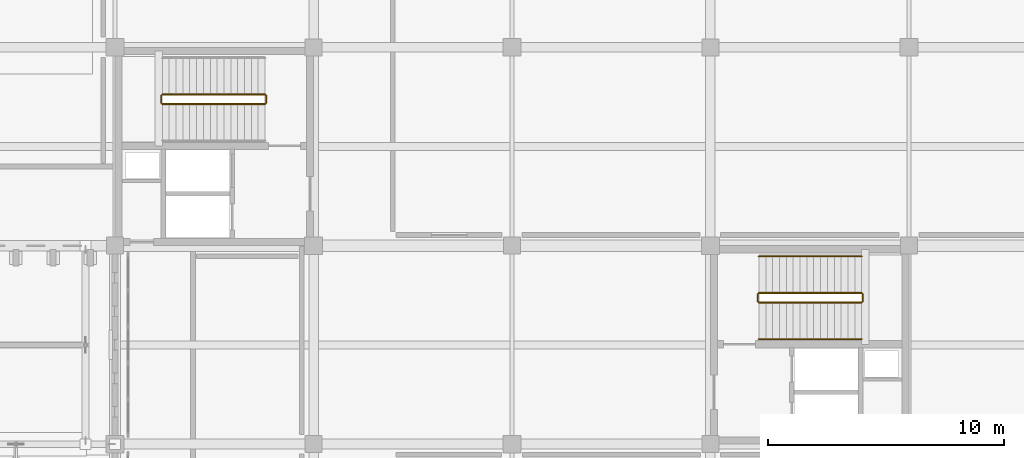
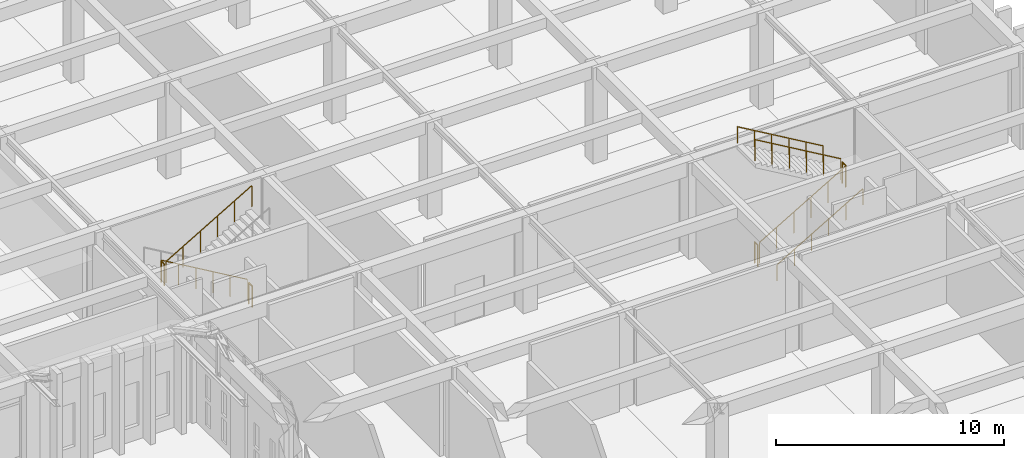
# One storey, part 142 of 143: 10 railings.
"""IFC4 building model written with IfcOpenShell, lengths in metres."""

from ifc_helpers import new_model, si_unit, direction, frame, origin, origin_2d, place, context, subcontext, project, spatial, circle, extrude, material, type_object, element, save


model = new_model("IFC4")

# Units and contexts
model_context = context("Model", 3, precision=1e-05, world=origin(), true_north=direction((0.0, 1.0)))
body_context = subcontext(model_context, "Body", "Model", "MODEL_VIEW")
ifc_project = project(units=[si_unit("LENGTHUNIT", "METRE"), si_unit("AREAUNIT", "SQUARE_METRE"), si_unit("VOLUMEUNIT", "CUBIC_METRE"), si_unit("PLANEANGLEUNIT", "RADIAN"), si_unit("MASSUNIT", "GRAM", prefix="KILO")], contexts=[model_context])

# Site, building, storey
site_placement = place(None, origin())
site = spatial("IfcSite", under=ifc_project, at=site_placement, CompositionType="ELEMENT")
building_placement = place(site_placement, origin())
building = spatial("IfcBuilding", under=site, at=building_placement, Name="Kveldsbrygga Polytechnic", CompositionType="ELEMENT")
storey_placement = place(building_placement, origin())
storey = spatial("IfcBuildingStorey", under=building, at=storey_placement, Name="L00", CompositionType="ELEMENT", Elevation=0.0)

# Railings
ifc_material = material(Name="Steel S355", Category="steel")
railing_type_1 = type_object("IfcRailingType", Name="RL-STAIR-GRD", PredefinedType="GUARDRAIL", material=ifc_material)
railing_1_placement = place(storey_placement, frame((132.35009765625, 90.39990234375, 0.169921875)))
element("IfcRailing", 1, at=railing_1_placement, inside=storey, type_object=railing_type_1, Name="L00 ST-2 stair guard 1", PredefinedType="GUARDRAIL", context=body_context, shape_type="SweptSolid", body=[
    extrude(circle(Radius=0.02392578125, at=origin_2d()), frame((0.0, 0.0, 1.1259765625), z_axis=(-0.862698698498, 0.0, 0.505718257145), x_axis=(0.0, -1.0, 0.0)), (0.0, 0.0, 1.0), 5.04248046875),
    extrude(circle(Radius=0.02099609375, at=origin_2d()), origin(), (0.0, 0.0, 1.0), 1.097900390625),
    extrude(circle(Radius=0.02099609375, at=origin_2d()), frame((-0.8701171875, 0.0, 0.510009765625)), (0.0, 0.0, 1.0), 1.097900390625),
    extrude(circle(Radius=0.02099609375, at=origin_2d()), frame((-1.739990234375, 0.0, 1.02001953125)), (0.0, 0.0, 1.0), 1.097900390625),
    extrude(circle(Radius=0.02099609375, at=origin_2d()), frame((-2.610107421875, 0.0, 1.530029296875)), (0.0, 0.0, 1.0), 1.097900390625),
    extrude(circle(Radius=0.02099609375, at=origin_2d()), frame((-3.47998046875, 0.0, 2.0400390625)), (0.0, 0.0, 1.0), 1.097900390625),
    extrude(circle(Radius=0.02099609375, at=origin_2d()), frame((-4.35009765625, 0.0, 2.550048828125)), (0.0, 0.0, 1.0), 1.097900390625),
])
railing_2_placement = place(storey_placement, frame((127.949951171875, 90.35009765625, 2.719970703125)))
element("IfcRailing", 2, at=railing_2_placement, inside=storey, type_object=railing_type_1, Name="L00 ST-2 stair guard 2", PredefinedType="GUARDRAIL", context=body_context, shape_type="SweptSolid", body=[
    extrude(circle(Radius=0.02392578125, at=origin_2d()), frame((0.0, 0.0, 1.1259765625), z_axis=(0.0, -1.0, 0.0), x_axis=(1.0, 0.0, 0.0)), (0.0, 0.0, 1.0), 0.300048828125),
    extrude(circle(Radius=0.02099609375, at=origin_2d()), origin(), (0.0, 0.0, 1.0), 1.097900390625),
    extrude(circle(Radius=0.02099609375, at=origin_2d()), frame((0.0, -0.300048828125, 0.0)), (0.0, 0.0, 1.0), 1.097900390625),
])
railing_3_placement = place(storey_placement, frame((128.0, 90.0, 2.889892578125)))
element("IfcRailing", 3, at=railing_3_placement, inside=storey, type_object=railing_type_1, Name="L00 ST-2 stair guard 3", PredefinedType="GUARDRAIL", context=body_context, shape_type="SweptSolid", body=[
    extrude(circle(Radius=0.02392578125, at=origin_2d()), frame((0.0, 0.0, 1.1259765625), z_axis=(0.862698698498, 0.0, 0.505718257145), x_axis=(0.0, 1.0, 0.0)), (0.0, 0.0, 1.0), 5.04248046875),
    extrude(circle(Radius=0.02099609375, at=origin_2d()), origin(), (0.0, 0.0, 1.0), 1.097900390625),
    extrude(circle(Radius=0.02099609375, at=origin_2d()), frame((0.8701171875, 0.0, 0.510009765625)), (0.0, 0.0, 1.0), 1.097900390625),
    extrude(circle(Radius=0.02099609375, at=origin_2d()), frame((1.739990234375, 0.0, 1.02001953125)), (0.0, 0.0, 1.0), 1.097900390625),
    extrude(circle(Radius=0.02099609375, at=origin_2d()), frame((2.610107421875, 0.0, 1.530029296875)), (0.0, 0.0, 1.0), 1.097900390625),
    extrude(circle(Radius=0.02099609375, at=origin_2d()), frame((3.47998046875, 0.0, 2.0400390625)), (0.0, 0.0, 1.0), 1.097900390625),
    extrude(circle(Radius=0.02099609375, at=origin_2d()), frame((4.35009765625, 0.0, 2.550048828125)), (0.0, 0.0, 1.0), 1.097900390625),
])
railing_4_placement = place(storey_placement, frame((132.39990234375, 90.35009765625, 0.0)))
element("IfcRailing", 4, at=railing_4_placement, inside=storey, type_object=railing_type_1, Name="L00 ST-2 stair guard 4", PredefinedType="GUARDRAIL", context=body_context, shape_type="SweptSolid", body=[
    extrude(circle(Radius=0.02392578125, at=origin_2d()), frame((0.0, 0.0, 1.1259765625), z_axis=(0.0, -1.0, 0.0), x_axis=(1.0, 0.0, 0.0)), (0.0, 0.0, 1.0), 0.300048828125),
    extrude(circle(Radius=0.02099609375, at=origin_2d()), origin(), (0.0, 0.0, 1.0), 1.097900390625),
    extrude(circle(Radius=0.02099609375, at=origin_2d()), frame((0.0, -0.300048828125, 0.0)), (0.0, 0.0, 1.0), 1.097900390625),
])
railing_5_placement = place(storey_placement, frame((153.25, 81.60009765625, 0.169921875)))
element("IfcRailing", 5, at=railing_5_placement, inside=storey, type_object=railing_type_1, Name="L00 ST-4 stair guard 1", PredefinedType="GUARDRAIL", context=body_context, shape_type="SweptSolid", body=[
    extrude(circle(Radius=0.02392578125, at=origin_2d()), frame((0.0, 0.0, 1.1259765625), z_axis=(0.862698698498, 0.0, 0.505718257145), x_axis=(0.0, 1.0, 0.0)), (0.0, 0.0, 1.0), 5.04248046875),
    extrude(circle(Radius=0.02099609375, at=origin_2d()), origin(), (0.0, 0.0, 1.0), 1.097900390625),
    extrude(circle(Radius=0.02099609375, at=origin_2d()), frame((0.8701171875, 0.0, 0.510009765625)), (0.0, 0.0, 1.0), 1.097900390625),
    extrude(circle(Radius=0.02099609375, at=origin_2d()), frame((1.739990234375, 0.0, 1.02001953125)), (0.0, 0.0, 1.0), 1.097900390625),
    extrude(circle(Radius=0.02099609375, at=origin_2d()), frame((2.610107421875, 0.0, 1.530029296875)), (0.0, 0.0, 1.0), 1.097900390625),
    extrude(circle(Radius=0.02099609375, at=origin_2d()), frame((3.47998046875, 0.0, 2.0400390625)), (0.0, 0.0, 1.0), 1.097900390625),
    extrude(circle(Radius=0.02099609375, at=origin_2d()), frame((4.35009765625, 0.0, 2.550048828125)), (0.0, 0.0, 1.0), 1.097900390625),
])
railing_6_placement = place(storey_placement, frame((157.64990234375, 81.64990234375, 2.719970703125)))
element("IfcRailing", 6, at=railing_6_placement, inside=storey, type_object=railing_type_1, Name="L00 ST-4 stair guard 2", PredefinedType="GUARDRAIL", context=body_context, shape_type="SweptSolid", body=[
    extrude(circle(Radius=0.02392578125, at=origin_2d()), frame((0.0, 0.0, 1.1259765625), z_axis=(0.0, 1.0, 0.0), x_axis=(-1.0, 0.0, 0.0)), (0.0, 0.0, 1.0), 0.300048828125),
    extrude(circle(Radius=0.02099609375, at=origin_2d()), origin(), (0.0, 0.0, 1.0), 1.097900390625),
    extrude(circle(Radius=0.02099609375, at=origin_2d()), frame((0.0, 0.300048828125, 0.0)), (0.0, 0.0, 1.0), 1.097900390625),
])
railing_7_placement = place(storey_placement, frame((157.60009765625, 82.0, 2.889892578125)))
element("IfcRailing", 7, at=railing_7_placement, inside=storey, type_object=railing_type_1, Name="L00 ST-4 stair guard 3", PredefinedType="GUARDRAIL", context=body_context, shape_type="SweptSolid", body=[
    extrude(circle(Radius=0.02392578125, at=origin_2d()), frame((0.0, 0.0, 1.1259765625), z_axis=(-0.862698698498, 0.0, 0.505718257145), x_axis=(0.0, -1.0, 0.0)), (0.0, 0.0, 1.0), 5.04248046875),
    extrude(circle(Radius=0.02099609375, at=origin_2d()), origin(), (0.0, 0.0, 1.0), 1.097900390625),
    extrude(circle(Radius=0.02099609375, at=origin_2d()), frame((-0.8701171875, 0.0, 0.510009765625)), (0.0, 0.0, 1.0), 1.097900390625),
    extrude(circle(Radius=0.02099609375, at=origin_2d()), frame((-1.739990234375, 0.0, 1.02001953125)), (0.0, 0.0, 1.0), 1.097900390625),
    extrude(circle(Radius=0.02099609375, at=origin_2d()), frame((-2.610107421875, 0.0, 1.530029296875)), (0.0, 0.0, 1.0), 1.097900390625),
    extrude(circle(Radius=0.02099609375, at=origin_2d()), frame((-3.47998046875, 0.0, 2.0400390625)), (0.0, 0.0, 1.0), 1.097900390625),
    extrude(circle(Radius=0.02099609375, at=origin_2d()), frame((-4.35009765625, 0.0, 2.550048828125)), (0.0, 0.0, 1.0), 1.097900390625),
])
railing_8_placement = place(storey_placement, frame((153.199951171875, 81.64990234375, 0.0)))
element("IfcRailing", 8, at=railing_8_placement, inside=storey, type_object=railing_type_1, Name="L00 ST-4 stair guard 4", PredefinedType="GUARDRAIL", context=body_context, shape_type="SweptSolid", body=[
    extrude(circle(Radius=0.02392578125, at=origin_2d()), frame((0.0, 0.0, 1.1259765625), z_axis=(0.0, 1.0, 0.0), x_axis=(-1.0, 0.0, 0.0)), (0.0, 0.0, 1.0), 0.300048828125),
    extrude(circle(Radius=0.02099609375, at=origin_2d()), origin(), (0.0, 0.0, 1.0), 1.097900390625),
    extrude(circle(Radius=0.02099609375, at=origin_2d()), frame((0.0, 0.300048828125, 0.0)), (0.0, 0.0, 1.0), 1.097900390625),
])
railing_type_2 = type_object("IfcRailingType", Name="RL-STAIR-HND", PredefinedType="HANDRAIL", material=ifc_material)
railing_9_placement = place(storey_placement, frame((153.25, 80.050048828125, 0.169921875)))
element("IfcRailing", 9, at=railing_9_placement, inside=storey, type_object=railing_type_2, Name="L00 ST-4 stair handrail 1", PredefinedType="HANDRAIL", context=body_context, shape_type="SweptSolid", body=[
    extrude(circle(Radius=0.02392578125, at=origin_2d()), frame((0.0, 0.0, 0.8759765625), z_axis=(0.862698698498, 0.0, 0.505718257145), x_axis=(0.0, 1.0, 0.0)), (0.0, 0.0, 1.0), 5.04248046875),
    extrude(circle(Radius=0.02099609375, at=origin_2d()), origin(), (0.0, 0.0, 1.0), 0.847900390625),
    extrude(circle(Radius=0.02099609375, at=origin_2d()), frame((0.8701171875, 0.0, 0.510009765625)), (0.0, 0.0, 1.0), 0.847900390625),
    extrude(circle(Radius=0.02099609375, at=origin_2d()), frame((1.739990234375, 0.0, 1.02001953125)), (0.0, 0.0, 1.0), 0.847900390625),
    extrude(circle(Radius=0.02099609375, at=origin_2d()), frame((2.610107421875, 0.0, 1.530029296875)), (0.0, 0.0, 1.0), 0.847900390625),
    extrude(circle(Radius=0.02099609375, at=origin_2d()), frame((3.47998046875, 0.0, 2.0400390625)), (0.0, 0.0, 1.0), 0.847900390625),
    extrude(circle(Radius=0.02099609375, at=origin_2d()), frame((4.35009765625, 0.0, 2.550048828125)), (0.0, 0.0, 1.0), 0.847900390625),
])
railing_10_placement = place(storey_placement, frame((157.60009765625, 83.550048828125, 2.889892578125)))
element("IfcRailing", 10, at=railing_10_placement, inside=storey, type_object=railing_type_2, Name="L00 ST-4 stair handrail 2", PredefinedType="HANDRAIL", context=body_context, shape_type="SweptSolid", body=[
    extrude(circle(Radius=0.02392578125, at=origin_2d()), frame((0.0, 0.0, 0.8759765625), z_axis=(-0.862698698498, 0.0, 0.505718257145), x_axis=(0.0, -1.0, 0.0)), (0.0, 0.0, 1.0), 5.04248046875),
    extrude(circle(Radius=0.02099609375, at=origin_2d()), origin(), (0.0, 0.0, 1.0), 0.847900390625),
    extrude(circle(Radius=0.02099609375, at=origin_2d()), frame((-0.8701171875, 0.0, 0.510009765625)), (0.0, 0.0, 1.0), 0.847900390625),
    extrude(circle(Radius=0.02099609375, at=origin_2d()), frame((-1.739990234375, 0.0, 1.02001953125)), (0.0, 0.0, 1.0), 0.847900390625),
    extrude(circle(Radius=0.02099609375, at=origin_2d()), frame((-2.610107421875, 0.0, 1.530029296875)), (0.0, 0.0, 1.0), 0.847900390625),
    extrude(circle(Radius=0.02099609375, at=origin_2d()), frame((-3.47998046875, 0.0, 2.0400390625)), (0.0, 0.0, 1.0), 0.847900390625),
    extrude(circle(Radius=0.02099609375, at=origin_2d()), frame((-4.35009765625, 0.0, 2.550048828125)), (0.0, 0.0, 1.0), 0.847900390625),
])

save(model, "model.ifc")
